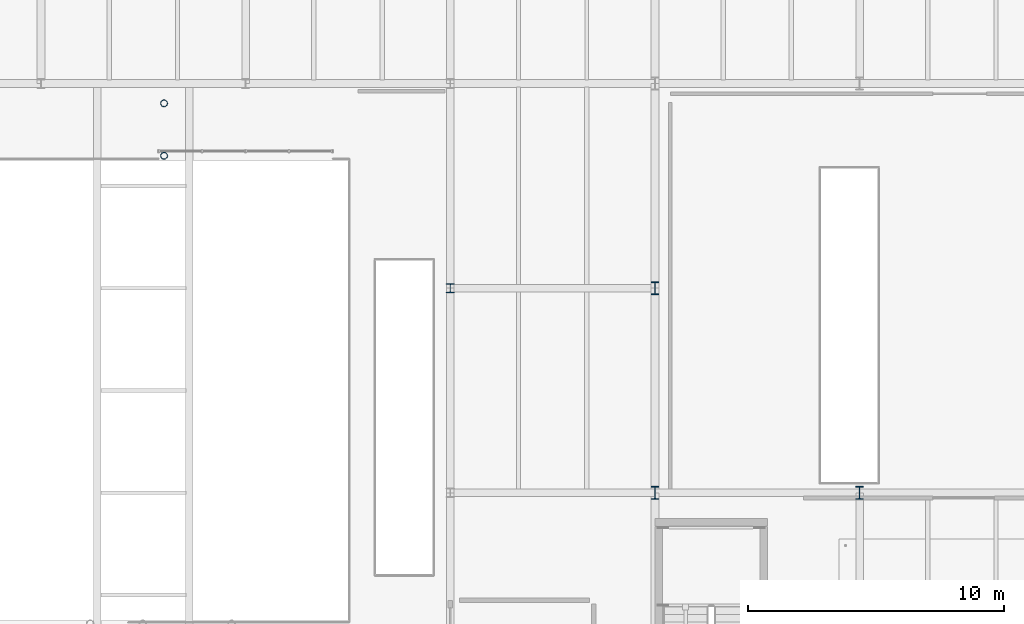
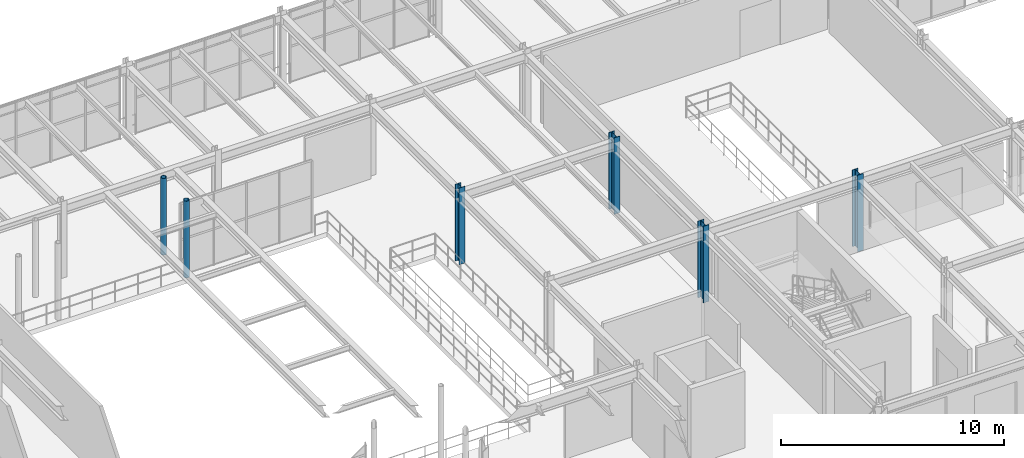
# One storey, part 4 of 122: 6 columns.
"""IFC4 building model written with IfcOpenShell, lengths in metres."""

from ifc_helpers import new_model, si_unit, direction, frame, origin, origin_2d, place, context, subcontext, project, spatial, hollow_circle, i_section, extrude, material, material_profile, profile_set, type_object, element, save


model = new_model("IFC4")

# Units and contexts
model_context = context("Model", 3, precision=1e-05, world=origin(), true_north=direction((0.0, 1.0)))
body_context = subcontext(model_context, "Body", "Model", "MODEL_VIEW")
ifc_project = project(units=[si_unit("LENGTHUNIT", "METRE"), si_unit("AREAUNIT", "SQUARE_METRE"), si_unit("VOLUMEUNIT", "CUBIC_METRE"), si_unit("PLANEANGLEUNIT", "RADIAN"), si_unit("MASSUNIT", "GRAM", prefix="KILO")], contexts=[model_context])

# Site, building, storey
site_placement = place(None, origin())
site = spatial("IfcSite", under=ifc_project, at=site_placement, CompositionType="ELEMENT")
building_placement = place(site_placement, origin())
building = spatial("IfcBuilding", under=site, at=building_placement, Name="Sundkrona Museum", CompositionType="ELEMENT")
storey_placement = place(building_placement, frame((0.0, 0.0, 5.39990234375)))
storey = spatial("IfcBuildingStorey", under=building, at=storey_placement, Name="L01", CompositionType="ELEMENT", Elevation=5.39990234375)

# Columns
ifc_material = material(Name="Steel S355J2", Category="steel")
ifc_material_profile_1 = material_profile(ifc_material, hollow_circle(Radius=0.136474609375, WallThickness=0.012451171875, at=origin_2d()), Name="CHS 273.0x12.5")
ifc_profile_set_1 = profile_set([ifc_material_profile_1], Name="Steel S355J2")
column_type_1 = type_object("IfcColumnType", Name="C-CHS273", PredefinedType="COLUMN", material=ifc_profile_set_1)
for number, where, z_axis, x_axis, name in (
    (1, (100.81005859375, 29.175048828125, 0.0), (0.0, 0.0, 1.0), (1.0, 0.0, 0.0), "L01 Feature Stair FS-3 Column S3-1"),
    (2, (100.81005859375, 31.22509765625, 0.0), (0.0, 0.0, 1.0), (1.0, 0.0, 0.0), "L01 Feature Stair FS-3 Column S3-2"),
):
    element("IfcColumn", number, at=place(storey_placement, frame(where, z_axis=z_axis, x_axis=x_axis)), inside=storey, type_object=column_type_1, Name=name, PredefinedType="COLUMN", context=body_context, shape_type="SweptSolid", body=[
        extrude(hollow_circle(Radius=0.136474609375, WallThickness=0.012451171875, at=origin_2d()), origin(), (0.0, 0.0, 1.0), 4.2001953125),
    ])
ifc_material_profile_2 = material_profile(ifc_material, i_section(OverallWidth=0.300048828125, OverallDepth=0.360107421875, WebThickness=0.012451171875, FlangeThickness=0.0224609375, FilletRadius=0.027099609375, at=origin_2d()), Name="HEB 360")
ifc_profile_set_2 = profile_set([ifc_material_profile_2], Name="Steel S355J2")
column_type_2 = type_object("IfcColumnType", Name="C-HEB360", PredefinedType="COLUMN", material=ifc_profile_set_2)
column_placement = place(storey_placement, frame((112.0, 24.0, 0.0), z_axis=(0.0, 0.0, 1.0), x_axis=(1.0, 0.0, 0.0)))
element("IfcColumn", 3, at=column_placement, inside=storey, type_object=column_type_2, Name="L01 Column D/15", PredefinedType="COLUMN", context=body_context, shape_type="SweptSolid", body=[
    extrude(i_section(OverallWidth=0.300048828125, OverallDepth=0.360107421875, WebThickness=0.012451171875, FlangeThickness=0.0224609375, FilletRadius=0.027099609375, at=origin_2d()), origin(), (0.0, 0.0, 1.0), 4.2001953125),
])
ifc_material_profile_3 = material_profile(ifc_material, i_section(OverallWidth=0.300048828125, OverallDepth=0.5, WebThickness=0.014404296875, FlangeThickness=0.028076171875, FilletRadius=0.027099609375, at=origin_2d()), Name="HEB 500")
ifc_profile_set_3 = profile_set([ifc_material_profile_3], Name="Steel S355J2")
column_type_3 = type_object("IfcColumnType", Name="C-HEB500", PredefinedType="COLUMN", material=ifc_profile_set_3)
for number, where, z_axis, x_axis, name in (
    (4, (120.0, 16.0, 0.0), (0.0, 0.0, 1.0), (1.0, 0.0, 0.0), "L01 Column C/16"),
    (5, (120.0, 24.0, 0.0), (0.0, 0.0, 1.0), (1.0, 0.0, 0.0), "L01 Column D/16"),
    (6, (128.0, 16.0, 0.0), (0.0, 0.0, 1.0), (1.0, 0.0, 0.0), "L01 Column C/17"),
):
    element("IfcColumn", number, at=place(storey_placement, frame(where, z_axis=z_axis, x_axis=x_axis)), inside=storey, type_object=column_type_3, Name=name, PredefinedType="COLUMN", context=body_context, shape_type="SweptSolid", body=[
        extrude(i_section(OverallWidth=0.300048828125, OverallDepth=0.5, WebThickness=0.014404296875, FlangeThickness=0.028076171875, FilletRadius=0.027099609375, at=origin_2d()), origin(), (0.0, 0.0, 1.0), 4.2001953125),
    ])

save(model, "model.ifc")
